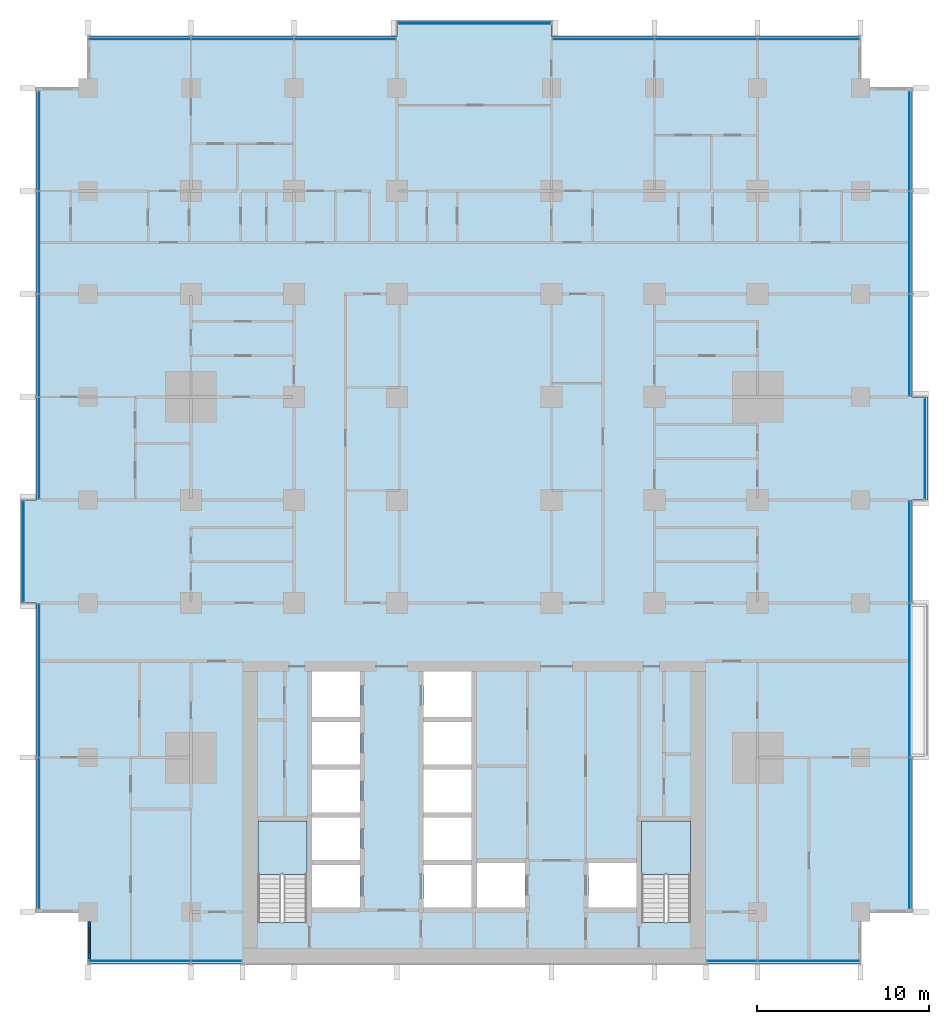
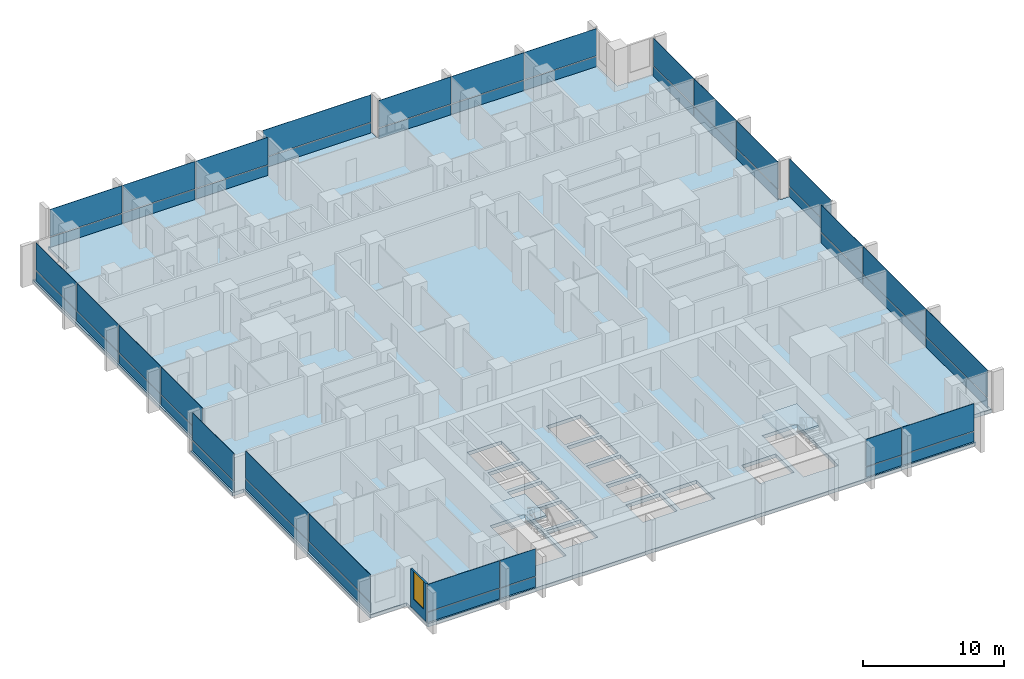
# One storey, part 6 of 18: 50 plates, 3 slabs, 1 wall, 1 window, 1 opening, 13 elements without a shape of their own.
"""IFC4 building model written with IfcOpenShell, lengths in metres."""

from ifc_helpers import new_model, si_unit, direction, frame, frame_2d, origin, origin_2d, place, context, subcontext, project, spatial, polyline, rectangle, outline, extrude, material, layer, layer_set, type_object, element, fill, aggregate, save


model = new_model("IFC4")

# Units and contexts
model_context = context("Model", 3, precision=1e-05, world=origin(), true_north=direction((0.0, 1.0)))
body_context = subcontext(model_context, "Body", "Model", "MODEL_VIEW")
ifc_project = project(units=[si_unit("LENGTHUNIT", "METRE"), si_unit("AREAUNIT", "SQUARE_METRE"), si_unit("VOLUMEUNIT", "CUBIC_METRE"), si_unit("PLANEANGLEUNIT", "RADIAN"), si_unit("MASSUNIT", "GRAM", prefix="KILO")], contexts=[model_context])

# Site, building, storey
site_placement = place(None, origin())
site = spatial("IfcSite", under=ifc_project, at=site_placement, CompositionType="ELEMENT")
building_placement = place(site_placement, origin())
building = spatial("IfcBuilding", under=site, at=building_placement, Name="Finial Court Residences", CompositionType="ELEMENT")
storey_placement = place(building_placement, frame((0.0, 0.0, 50.5)))
storey = spatial("IfcBuildingStorey", under=building, at=storey_placement, Name="L11", CompositionType="ELEMENT", Elevation=50.5)

# Curtain wall, plates
ifc_material_1 = material(Name="Bronze anodised aluminium", Category="aluminium")
curtain_wall_type = type_object("IfcCurtainWallType", Name="Unitised curtain wall, lower and middle zones", PredefinedType="NOTDEFINED", material=ifc_material_1)
curtain_wall_1_placement = place(storey_placement, origin())
curtain_wall_1 = element("IfcCurtainWall", 1, at=curtain_wall_1_placement, inside=storey, type_object=curtain_wall_type, Name="E-L11-CW-N1", PredefinedType="NOTDEFINED")
ifc_layer_1 = layer(ifc_material_1, 0.0400390625)
ifc_layer_set_1 = layer_set([ifc_layer_1], Name="CW1 spandrel panel 40")
plate_type_1 = type_object("IfcPlateType", Name="CW1 spandrel panel 40", PredefinedType="CURTAIN_PANEL", material=ifc_layer_set_1)
plate_1_placement = place(storey_placement, frame((-19.48388671875, 28.35009765625, 0.0), z_axis=(0.0, 0.0, 1.0), x_axis=(1.0, 0.0, 0.0)))
plate_1 = element("IfcPlate", 2, at=plate_1_placement, type_object=plate_type_1, Name="CW1 spandrel 1.1", PredefinedType="CURTAIN_PANEL", context=body_context, shape_type="SweptSolid", body=[
    extrude(rectangle(XDim=5.902587890625, YDim=0.0400390625, at=origin_2d()), origin(), (0.0, 0.0, 1.0), 0.867431640625),
])
plate_2_placement = place(storey_placement, frame((-13.5, 28.35009765625, 0.0), z_axis=(0.0, 0.0, 1.0), x_axis=(1.0, 0.0, 0.0)))
plate_2 = element("IfcPlate", 3, at=plate_2_placement, type_object=plate_type_1, Name="CW1 spandrel 2.1", PredefinedType="CURTAIN_PANEL", context=body_context, shape_type="SweptSolid", body=[
    extrude(rectangle(XDim=5.93505859375, YDim=0.0400390625, at=origin_2d()), origin(), (0.0, 0.0, 1.0), 0.867431640625),
])
plate_3_placement = place(storey_placement, frame((-7.51611328125, 28.35009765625, 0.0), z_axis=(0.0, 0.0, 1.0), x_axis=(1.0, 0.0, 0.0)))
plate_3 = element("IfcPlate", 4, at=plate_3_placement, type_object=plate_type_1, Name="CW1 spandrel 3.1", PredefinedType="CURTAIN_PANEL", context=body_context, shape_type="SweptSolid", body=[
    extrude(rectangle(XDim=5.902587890625, YDim=0.0400390625, at=origin_2d()), origin(), (0.0, 0.0, 1.0), 0.867431640625),
])

# Curtain wall, plate
curtain_wall_2_placement = place(storey_placement, origin())
curtain_wall_2 = element("IfcCurtainWall", 5, at=curtain_wall_2_placement, inside=storey, type_object=curtain_wall_type, Name="E-L11-CW-N2", PredefinedType="NOTDEFINED")
plate_4_placement = place(storey_placement, frame((0.0, 29.25, 0.0), z_axis=(0.0, 0.0, 1.0), x_axis=(1.0, 0.0, 0.0)))
plate_4 = element("IfcPlate", 6, at=plate_4_placement, type_object=plate_type_1, Name="CW1 spandrel 1.1", PredefinedType="CURTAIN_PANEL", context=body_context, shape_type="SweptSolid", body=[
    extrude(rectangle(XDim=8.8701171875, YDim=0.0400390625, at=origin_2d()), origin(), (0.0, 0.0, 1.0), 0.867431640625),
])

# Curtain wall, plates
curtain_wall_3_placement = place(storey_placement, origin())
curtain_wall_3 = element("IfcCurtainWall", 7, at=curtain_wall_3_placement, inside=storey, type_object=curtain_wall_type, Name="E-L11-CW-N3", PredefinedType="NOTDEFINED")
plate_5_placement = place(storey_placement, frame((7.51611328125, 28.35009765625, 0.0), z_axis=(0.0, 0.0, 1.0), x_axis=(1.0, 0.0, 0.0)))
plate_5 = element("IfcPlate", 8, at=plate_5_placement, type_object=plate_type_1, Name="CW1 spandrel 1.1", PredefinedType="CURTAIN_PANEL", context=body_context, shape_type="SweptSolid", body=[
    extrude(rectangle(XDim=5.902587890625, YDim=0.0400390625, at=origin_2d()), origin(), (0.0, 0.0, 1.0), 0.867431640625),
])
plate_6_placement = place(storey_placement, frame((13.5, 28.35009765625, 0.0), z_axis=(0.0, 0.0, 1.0), x_axis=(1.0, 0.0, 0.0)))
plate_6 = element("IfcPlate", 9, at=plate_6_placement, type_object=plate_type_1, Name="CW1 spandrel 2.1", PredefinedType="CURTAIN_PANEL", context=body_context, shape_type="SweptSolid", body=[
    extrude(rectangle(XDim=5.93505859375, YDim=0.0400390625, at=origin_2d()), origin(), (0.0, 0.0, 1.0), 0.867431640625),
])
plate_7_placement = place(storey_placement, frame((19.48388671875, 28.35009765625, 0.0), z_axis=(0.0, 0.0, 1.0), x_axis=(1.0, 0.0, 0.0)))
plate_7 = element("IfcPlate", 10, at=plate_7_placement, type_object=plate_type_1, Name="CW1 spandrel 3.1", PredefinedType="CURTAIN_PANEL", context=body_context, shape_type="SweptSolid", body=[
    extrude(rectangle(XDim=5.902587890625, YDim=0.0400390625, at=origin_2d()), origin(), (0.0, 0.0, 1.0), 0.867431640625),
])

curtain_wall_4_placement = place(storey_placement, origin())
curtain_wall_4 = element("IfcCurtainWall", 11, at=curtain_wall_4_placement, inside=storey, type_object=curtain_wall_type, Name="E-L11-CW-E4", PredefinedType="NOTDEFINED")
plate_8_placement = place(storey_placement, frame((25.35009765625, -17.90869140625, 0.0), z_axis=(0.0, 0.0, 1.0), x_axis=(0.0, 1.0, 0.0)))
plate_8 = element("IfcPlate", 12, at=plate_8_placement, type_object=plate_type_1, Name="CW1 spandrel 1.1", PredefinedType="CURTAIN_PANEL", context=body_context, shape_type="SweptSolid", body=[
    extrude(rectangle(XDim=8.75244140625, YDim=0.0400390625, at=origin_2d()), origin(), (0.0, 0.0, 1.0), 0.867431640625),
])
plate_9_placement = place(storey_placement, frame((25.35009765625, -9.0, 0.0), z_axis=(0.0, 0.0, 1.0), x_axis=(0.0, 1.0, 0.0)))
plate_9 = element("IfcPlate", 13, at=plate_9_placement, type_object=plate_type_1, Name="CW1 spandrel 2.1", PredefinedType="CURTAIN_PANEL", context=body_context, shape_type="SweptSolid", body=[
    extrude(rectangle(XDim=8.93505859375, YDim=0.0400390625, at=origin_2d()), origin(), (0.0, 0.0, 1.0), 0.867431640625),
])
plate_10_placement = place(storey_placement, frame((25.35009765625, -1.516357421875, 0.0), z_axis=(0.0, 0.0, 1.0), x_axis=(0.0, 1.0, 0.0)))
plate_10 = element("IfcPlate", 14, at=plate_10_placement, type_object=plate_type_1, Name="CW1 spandrel 3.1", PredefinedType="CURTAIN_PANEL", context=body_context, shape_type="SweptSolid", body=[
    extrude(rectangle(XDim=5.902587890625, YDim=0.0400390625, at=origin_2d()), origin(), (0.0, 0.0, 1.0), 0.867431640625),
])

# Curtain wall, plate
curtain_wall_5_placement = place(storey_placement, origin())
curtain_wall_5 = element("IfcCurtainWall", 15, at=curtain_wall_5_placement, inside=storey, type_object=curtain_wall_type, Name="E-L11-CW-E5", PredefinedType="NOTDEFINED")
plate_11_placement = place(storey_placement, frame((26.25, 4.5, 0.0), z_axis=(0.0, 0.0, 1.0), x_axis=(0.0, 1.0, 0.0)))
plate_11 = element("IfcPlate", 16, at=plate_11_placement, type_object=plate_type_1, Name="CW1 spandrel 1.1", PredefinedType="CURTAIN_PANEL", context=body_context, shape_type="SweptSolid", body=[
    extrude(rectangle(XDim=5.8701171875, YDim=0.0400390625, at=origin_2d()), origin(), (0.0, 0.0, 1.0), 0.867431640625),
])

# Curtain wall, plates
curtain_wall_6_placement = place(storey_placement, origin())
curtain_wall_6 = element("IfcCurtainWall", 17, at=curtain_wall_6_placement, inside=storey, type_object=curtain_wall_type, Name="E-L11-CW-E6", PredefinedType="NOTDEFINED")
plate_12_placement = place(storey_placement, frame((25.35009765625, 10.51611328125, 0.0), z_axis=(0.0, 0.0, 1.0), x_axis=(0.0, 1.0, 0.0)))
plate_12 = element("IfcPlate", 18, at=plate_12_placement, type_object=plate_type_1, Name="CW1 spandrel 1.1", PredefinedType="CURTAIN_PANEL", context=body_context, shape_type="SweptSolid", body=[
    extrude(rectangle(XDim=5.902587890625, YDim=0.0400390625, at=origin_2d()), origin(), (0.0, 0.0, 1.0), 0.867431640625),
])
plate_13_placement = place(storey_placement, frame((25.35009765625, 16.5, 0.0), z_axis=(0.0, 0.0, 1.0), x_axis=(0.0, 1.0, 0.0)))
plate_13 = element("IfcPlate", 19, at=plate_13_placement, type_object=plate_type_1, Name="CW1 spandrel 2.1", PredefinedType="CURTAIN_PANEL", context=body_context, shape_type="SweptSolid", body=[
    extrude(rectangle(XDim=5.93505859375, YDim=0.0400390625, at=origin_2d()), origin(), (0.0, 0.0, 1.0), 0.867431640625),
])
plate_14_placement = place(storey_placement, frame((25.35009765625, 22.40869140625, 0.0), z_axis=(0.0, 0.0, 1.0), x_axis=(0.0, 1.0, 0.0)))
plate_14 = element("IfcPlate", 20, at=plate_14_placement, type_object=plate_type_1, Name="CW1 spandrel 3.1", PredefinedType="CURTAIN_PANEL", context=body_context, shape_type="SweptSolid", body=[
    extrude(rectangle(XDim=5.75244140625, YDim=0.0400390625, at=origin_2d()), origin(), (0.0, 0.0, 1.0), 0.867431640625),
])

curtain_wall_7_placement = place(storey_placement, origin())
curtain_wall_7 = element("IfcCurtainWall", 21, at=curtain_wall_7_placement, inside=storey, type_object=curtain_wall_type, Name="E-L11-CW-S7", PredefinedType="NOTDEFINED")
plate_15_placement = place(storey_placement, frame((-19.48388671875, -25.35009765625, 0.0), z_axis=(0.0, 0.0, 1.0), x_axis=(1.0, 0.0, 0.0)))
plate_15 = element("IfcPlate", 22, at=plate_15_placement, type_object=plate_type_1, Name="CW1 spandrel 1.1", PredefinedType="CURTAIN_PANEL", context=body_context, shape_type="SweptSolid", body=[
    extrude(rectangle(XDim=5.902587890625, YDim=0.0400390625, at=origin_2d()), origin(), (0.0, 0.0, 1.0), 0.867431640625),
])
plate_16_placement = place(storey_placement, frame((-15.016357421875, -25.35009765625, 0.0), z_axis=(0.0, 0.0, 1.0), x_axis=(1.0, 0.0, 0.0)))
plate_16 = element("IfcPlate", 23, at=plate_16_placement, type_object=plate_type_1, Name="CW1 spandrel 2.1", PredefinedType="CURTAIN_PANEL", context=body_context, shape_type="SweptSolid", body=[
    extrude(rectangle(XDim=2.902587890625, YDim=0.0400390625, at=origin_2d()), origin(), (0.0, 0.0, 1.0), 0.867431640625),
])

curtain_wall_8_placement = place(storey_placement, origin())
curtain_wall_8 = element("IfcCurtainWall", 24, at=curtain_wall_8_placement, inside=storey, type_object=curtain_wall_type, Name="E-L11-CW-S8", PredefinedType="NOTDEFINED")
plate_17_placement = place(storey_placement, frame((15.016357421875, -25.35009765625, 0.0), z_axis=(0.0, 0.0, 1.0), x_axis=(1.0, 0.0, 0.0)))
plate_17 = element("IfcPlate", 25, at=plate_17_placement, type_object=plate_type_1, Name="CW1 spandrel 1.1", PredefinedType="CURTAIN_PANEL", context=body_context, shape_type="SweptSolid", body=[
    extrude(rectangle(XDim=2.902587890625, YDim=0.0400390625, at=origin_2d()), origin(), (0.0, 0.0, 1.0), 0.867431640625),
])
plate_18_placement = place(storey_placement, frame((19.48388671875, -25.35009765625, 0.0), z_axis=(0.0, 0.0, 1.0), x_axis=(1.0, 0.0, 0.0)))
plate_18 = element("IfcPlate", 26, at=plate_18_placement, type_object=plate_type_1, Name="CW1 spandrel 2.1", PredefinedType="CURTAIN_PANEL", context=body_context, shape_type="SweptSolid", body=[
    extrude(rectangle(XDim=5.902587890625, YDim=0.0400390625, at=origin_2d()), origin(), (0.0, 0.0, 1.0), 0.867431640625),
])

curtain_wall_9_placement = place(storey_placement, origin())
curtain_wall_9 = element("IfcCurtainWall", 27, at=curtain_wall_9_placement, inside=storey, type_object=curtain_wall_type, Name="E-L11-CW-W9", PredefinedType="NOTDEFINED")
plate_19_placement = place(storey_placement, frame((-25.35009765625, -17.90869140625, 0.0), z_axis=(0.0, 0.0, 1.0), x_axis=(0.0, 1.0, 0.0)))
plate_19 = element("IfcPlate", 28, at=plate_19_placement, type_object=plate_type_1, Name="CW1 spandrel 1.1", PredefinedType="CURTAIN_PANEL", context=body_context, shape_type="SweptSolid", body=[
    extrude(rectangle(XDim=8.75244140625, YDim=0.0400390625, at=origin_2d()), origin(), (0.0, 0.0, 1.0), 0.867431640625),
])
plate_20_placement = place(storey_placement, frame((-25.35009765625, -9.01611328125, 0.0), z_axis=(0.0, 0.0, 1.0), x_axis=(0.0, 1.0, 0.0)))
plate_20 = element("IfcPlate", 29, at=plate_20_placement, type_object=plate_type_1, Name="CW1 spandrel 2.1", PredefinedType="CURTAIN_PANEL", context=body_context, shape_type="SweptSolid", body=[
    extrude(rectangle(XDim=8.902587890625, YDim=0.0400390625, at=origin_2d()), origin(), (0.0, 0.0, 1.0), 0.867431640625),
])

# Curtain wall, plate
curtain_wall_10_placement = place(storey_placement, origin())
curtain_wall_10 = element("IfcCurtainWall", 30, at=curtain_wall_10_placement, inside=storey, type_object=curtain_wall_type, Name="E-L11-CW-W10", PredefinedType="NOTDEFINED")
plate_21_placement = place(storey_placement, frame((-26.25, -1.5, 0.0), z_axis=(0.0, 0.0, 1.0), x_axis=(0.0, 1.0, 0.0)))
plate_21 = element("IfcPlate", 31, at=plate_21_placement, type_object=plate_type_1, Name="CW1 spandrel 1.1", PredefinedType="CURTAIN_PANEL", context=body_context, shape_type="SweptSolid", body=[
    extrude(rectangle(XDim=5.8701171875, YDim=0.0400390625, at=origin_2d()), origin(), (0.0, 0.0, 1.0), 0.867431640625),
])

# Curtain wall, plates
curtain_wall_11_placement = place(storey_placement, origin())
curtain_wall_11 = element("IfcCurtainWall", 32, at=curtain_wall_11_placement, inside=storey, type_object=curtain_wall_type, Name="E-L11-CW-W11", PredefinedType="NOTDEFINED")
plate_22_placement = place(storey_placement, frame((-25.35009765625, 4.516357421875, 0.0), z_axis=(0.0, 0.0, 1.0), x_axis=(0.0, 1.0, 0.0)))
plate_22 = element("IfcPlate", 33, at=plate_22_placement, type_object=plate_type_1, Name="CW1 spandrel 1.1", PredefinedType="CURTAIN_PANEL", context=body_context, shape_type="SweptSolid", body=[
    extrude(rectangle(XDim=5.902587890625, YDim=0.0400390625, at=origin_2d()), origin(), (0.0, 0.0, 1.0), 0.867431640625),
])
plate_23_placement = place(storey_placement, frame((-25.35009765625, 10.5, 0.0), z_axis=(0.0, 0.0, 1.0), x_axis=(0.0, 1.0, 0.0)))
plate_23 = element("IfcPlate", 34, at=plate_23_placement, type_object=plate_type_1, Name="CW1 spandrel 2.1", PredefinedType="CURTAIN_PANEL", context=body_context, shape_type="SweptSolid", body=[
    extrude(rectangle(XDim=5.93505859375, YDim=0.0400390625, at=origin_2d()), origin(), (0.0, 0.0, 1.0), 0.867431640625),
])
plate_24_placement = place(storey_placement, frame((-25.35009765625, 16.5, 0.0), z_axis=(0.0, 0.0, 1.0), x_axis=(0.0, 1.0, 0.0)))
plate_24 = element("IfcPlate", 35, at=plate_24_placement, type_object=plate_type_1, Name="CW1 spandrel 3.1", PredefinedType="CURTAIN_PANEL", context=body_context, shape_type="SweptSolid", body=[
    extrude(rectangle(XDim=5.93505859375, YDim=0.0400390625, at=origin_2d()), origin(), (0.0, 0.0, 1.0), 0.867431640625),
])
plate_25_placement = place(storey_placement, frame((-25.35009765625, 22.40869140625, 0.0), z_axis=(0.0, 0.0, 1.0), x_axis=(0.0, 1.0, 0.0)))
plate_25 = element("IfcPlate", 36, at=plate_25_placement, type_object=plate_type_1, Name="CW1 spandrel 4.1", PredefinedType="CURTAIN_PANEL", context=body_context, shape_type="SweptSolid", body=[
    extrude(rectangle(XDim=5.75244140625, YDim=0.0400390625, at=origin_2d()), origin(), (0.0, 0.0, 1.0), 0.867431640625),
])

# Plate
ifc_material_2 = material(Name="Clear low-e glass", Category="glass")
ifc_layer_2 = layer(ifc_material_2, 0.031982421875)
ifc_layer_set_2 = layer_set([ifc_layer_2], Name="CW1 vision glass 32")
plate_type_2 = type_object("IfcPlateType", Name="CW1 vision glass 32", PredefinedType="CURTAIN_PANEL", material=ifc_layer_set_2)
plate_26_placement = place(storey_placement, frame((-19.48388671875, 28.35009765625, 0.9326171875), z_axis=(0.0, 0.0, 1.0), x_axis=(1.0, 0.0, 0.0)))
plate_26 = element("IfcPlate", 37, at=plate_26_placement, type_object=plate_type_2, Name="CW1 glass 1.2", PredefinedType="CURTAIN_PANEL", context=body_context, shape_type="SweptSolid", body=[
    extrude(rectangle(XDim=5.902587890625, YDim=0.031982421875, at=origin_2d()), origin(), (0.0, 0.0, 1.0), 2.367431640625),
])

plate_27_placement = place(storey_placement, frame((-13.5, 28.35009765625, 0.9326171875), z_axis=(0.0, 0.0, 1.0), x_axis=(1.0, 0.0, 0.0)))
plate_27 = element("IfcPlate", 38, at=plate_27_placement, type_object=plate_type_2, Name="CW1 glass 2.2", PredefinedType="CURTAIN_PANEL", context=body_context, shape_type="SweptSolid", body=[
    extrude(rectangle(XDim=5.93505859375, YDim=0.031982421875, at=origin_2d()), origin(), (0.0, 0.0, 1.0), 2.367431640625),
])

plate_28_placement = place(storey_placement, frame((-7.51611328125, 28.35009765625, 0.9326171875), z_axis=(0.0, 0.0, 1.0), x_axis=(1.0, 0.0, 0.0)))
plate_28 = element("IfcPlate", 39, at=plate_28_placement, type_object=plate_type_2, Name="CW1 glass 3.2", PredefinedType="CURTAIN_PANEL", context=body_context, shape_type="SweptSolid", body=[
    extrude(rectangle(XDim=5.902587890625, YDim=0.031982421875, at=origin_2d()), origin(), (0.0, 0.0, 1.0), 2.367431640625),
])

aggregate(curtain_wall_1, [plate_1, plate_26, plate_2, plate_27, plate_3, plate_28])

plate_29_placement = place(storey_placement, frame((0.0, 29.25, 0.9326171875), z_axis=(0.0, 0.0, 1.0), x_axis=(1.0, 0.0, 0.0)))
plate_29 = element("IfcPlate", 40, at=plate_29_placement, type_object=plate_type_2, Name="CW1 glass 1.2", PredefinedType="CURTAIN_PANEL", context=body_context, shape_type="SweptSolid", body=[
    extrude(rectangle(XDim=8.8701171875, YDim=0.031982421875, at=origin_2d()), origin(), (0.0, 0.0, 1.0), 2.367431640625),
])

aggregate(curtain_wall_2, [plate_4, plate_29])

plate_30_placement = place(storey_placement, frame((7.51611328125, 28.35009765625, 0.9326171875), z_axis=(0.0, 0.0, 1.0), x_axis=(1.0, 0.0, 0.0)))
plate_30 = element("IfcPlate", 41, at=plate_30_placement, type_object=plate_type_2, Name="CW1 glass 1.2", PredefinedType="CURTAIN_PANEL", context=body_context, shape_type="SweptSolid", body=[
    extrude(rectangle(XDim=5.902587890625, YDim=0.031982421875, at=origin_2d()), origin(), (0.0, 0.0, 1.0), 2.367431640625),
])

plate_31_placement = place(storey_placement, frame((13.5, 28.35009765625, 0.9326171875), z_axis=(0.0, 0.0, 1.0), x_axis=(1.0, 0.0, 0.0)))
plate_31 = element("IfcPlate", 42, at=plate_31_placement, type_object=plate_type_2, Name="CW1 glass 2.2", PredefinedType="CURTAIN_PANEL", context=body_context, shape_type="SweptSolid", body=[
    extrude(rectangle(XDim=5.93505859375, YDim=0.031982421875, at=origin_2d()), origin(), (0.0, 0.0, 1.0), 2.367431640625),
])

plate_32_placement = place(storey_placement, frame((19.48388671875, 28.35009765625, 0.9326171875), z_axis=(0.0, 0.0, 1.0), x_axis=(1.0, 0.0, 0.0)))
plate_32 = element("IfcPlate", 43, at=plate_32_placement, type_object=plate_type_2, Name="CW1 glass 3.2", PredefinedType="CURTAIN_PANEL", context=body_context, shape_type="SweptSolid", body=[
    extrude(rectangle(XDim=5.902587890625, YDim=0.031982421875, at=origin_2d()), origin(), (0.0, 0.0, 1.0), 2.367431640625),
])

aggregate(curtain_wall_3, [plate_5, plate_30, plate_6, plate_31, plate_7, plate_32])

plate_33_placement = place(storey_placement, frame((25.35009765625, -17.90869140625, 0.9326171875), z_axis=(0.0, 0.0, 1.0), x_axis=(0.0, 1.0, 0.0)))
plate_33 = element("IfcPlate", 44, at=plate_33_placement, type_object=plate_type_2, Name="CW1 glass 1.2", PredefinedType="CURTAIN_PANEL", context=body_context, shape_type="SweptSolid", body=[
    extrude(rectangle(XDim=8.75244140625, YDim=0.031982421875, at=origin_2d()), origin(), (0.0, 0.0, 1.0), 2.367431640625),
])

plate_34_placement = place(storey_placement, frame((25.35009765625, -9.0, 0.9326171875), z_axis=(0.0, 0.0, 1.0), x_axis=(0.0, 1.0, 0.0)))
plate_34 = element("IfcPlate", 45, at=plate_34_placement, type_object=plate_type_2, Name="CW1 glass 2.2", PredefinedType="CURTAIN_PANEL", context=body_context, shape_type="SweptSolid", body=[
    extrude(rectangle(XDim=8.93505859375, YDim=0.031982421875, at=origin_2d()), origin(), (0.0, 0.0, 1.0), 2.367431640625),
])

plate_35_placement = place(storey_placement, frame((25.35009765625, -1.516357421875, 0.9326171875), z_axis=(0.0, 0.0, 1.0), x_axis=(0.0, 1.0, 0.0)))
plate_35 = element("IfcPlate", 46, at=plate_35_placement, type_object=plate_type_2, Name="CW1 glass 3.2", PredefinedType="CURTAIN_PANEL", context=body_context, shape_type="SweptSolid", body=[
    extrude(rectangle(XDim=5.902587890625, YDim=0.031982421875, at=origin_2d()), origin(), (0.0, 0.0, 1.0), 2.367431640625),
])

aggregate(curtain_wall_4, [plate_8, plate_33, plate_9, plate_34, plate_10, plate_35])

plate_36_placement = place(storey_placement, frame((26.25, 4.5, 0.9326171875), z_axis=(0.0, 0.0, 1.0), x_axis=(0.0, 1.0, 0.0)))
plate_36 = element("IfcPlate", 47, at=plate_36_placement, type_object=plate_type_2, Name="CW1 glass 1.2", PredefinedType="CURTAIN_PANEL", context=body_context, shape_type="SweptSolid", body=[
    extrude(rectangle(XDim=5.8701171875, YDim=0.031982421875, at=origin_2d()), origin(), (0.0, 0.0, 1.0), 2.367431640625),
])

aggregate(curtain_wall_5, [plate_11, plate_36])

plate_37_placement = place(storey_placement, frame((25.35009765625, 10.51611328125, 0.9326171875), z_axis=(0.0, 0.0, 1.0), x_axis=(0.0, 1.0, 0.0)))
plate_37 = element("IfcPlate", 48, at=plate_37_placement, type_object=plate_type_2, Name="CW1 glass 1.2", PredefinedType="CURTAIN_PANEL", context=body_context, shape_type="SweptSolid", body=[
    extrude(rectangle(XDim=5.902587890625, YDim=0.031982421875, at=origin_2d()), origin(), (0.0, 0.0, 1.0), 2.367431640625),
])

plate_38_placement = place(storey_placement, frame((25.35009765625, 16.5, 0.9326171875), z_axis=(0.0, 0.0, 1.0), x_axis=(0.0, 1.0, 0.0)))
plate_38 = element("IfcPlate", 49, at=plate_38_placement, type_object=plate_type_2, Name="CW1 glass 2.2", PredefinedType="CURTAIN_PANEL", context=body_context, shape_type="SweptSolid", body=[
    extrude(rectangle(XDim=5.93505859375, YDim=0.031982421875, at=origin_2d()), origin(), (0.0, 0.0, 1.0), 2.367431640625),
])

plate_39_placement = place(storey_placement, frame((25.35009765625, 22.40869140625, 0.9326171875), z_axis=(0.0, 0.0, 1.0), x_axis=(0.0, 1.0, 0.0)))
plate_39 = element("IfcPlate", 50, at=plate_39_placement, type_object=plate_type_2, Name="CW1 glass 3.2", PredefinedType="CURTAIN_PANEL", context=body_context, shape_type="SweptSolid", body=[
    extrude(rectangle(XDim=5.75244140625, YDim=0.031982421875, at=origin_2d()), origin(), (0.0, 0.0, 1.0), 2.367431640625),
])

aggregate(curtain_wall_6, [plate_12, plate_37, plate_13, plate_38, plate_14, plate_39])

plate_40_placement = place(storey_placement, frame((-19.48388671875, -25.35009765625, 0.9326171875), z_axis=(0.0, 0.0, 1.0), x_axis=(1.0, 0.0, 0.0)))
plate_40 = element("IfcPlate", 51, at=plate_40_placement, type_object=plate_type_2, Name="CW1 glass 1.2", PredefinedType="CURTAIN_PANEL", context=body_context, shape_type="SweptSolid", body=[
    extrude(rectangle(XDim=5.902587890625, YDim=0.031982421875, at=origin_2d()), origin(), (0.0, 0.0, 1.0), 2.367431640625),
])

plate_41_placement = place(storey_placement, frame((-15.016357421875, -25.35009765625, 0.9326171875), z_axis=(0.0, 0.0, 1.0), x_axis=(1.0, 0.0, 0.0)))
plate_41 = element("IfcPlate", 52, at=plate_41_placement, type_object=plate_type_2, Name="CW1 glass 2.2", PredefinedType="CURTAIN_PANEL", context=body_context, shape_type="SweptSolid", body=[
    extrude(rectangle(XDim=2.902587890625, YDim=0.031982421875, at=origin_2d()), origin(), (0.0, 0.0, 1.0), 2.367431640625),
])

aggregate(curtain_wall_7, [plate_15, plate_40, plate_16, plate_41])

plate_42_placement = place(storey_placement, frame((15.016357421875, -25.35009765625, 0.9326171875), z_axis=(0.0, 0.0, 1.0), x_axis=(1.0, 0.0, 0.0)))
plate_42 = element("IfcPlate", 53, at=plate_42_placement, type_object=plate_type_2, Name="CW1 glass 1.2", PredefinedType="CURTAIN_PANEL", context=body_context, shape_type="SweptSolid", body=[
    extrude(rectangle(XDim=2.902587890625, YDim=0.031982421875, at=origin_2d()), origin(), (0.0, 0.0, 1.0), 2.367431640625),
])

plate_43_placement = place(storey_placement, frame((19.48388671875, -25.35009765625, 0.9326171875), z_axis=(0.0, 0.0, 1.0), x_axis=(1.0, 0.0, 0.0)))
plate_43 = element("IfcPlate", 54, at=plate_43_placement, type_object=plate_type_2, Name="CW1 glass 2.2", PredefinedType="CURTAIN_PANEL", context=body_context, shape_type="SweptSolid", body=[
    extrude(rectangle(XDim=5.902587890625, YDim=0.031982421875, at=origin_2d()), origin(), (0.0, 0.0, 1.0), 2.367431640625),
])

aggregate(curtain_wall_8, [plate_17, plate_42, plate_18, plate_43])

plate_44_placement = place(storey_placement, frame((-25.35009765625, -17.90869140625, 0.9326171875), z_axis=(0.0, 0.0, 1.0), x_axis=(0.0, 1.0, 0.0)))
plate_44 = element("IfcPlate", 55, at=plate_44_placement, type_object=plate_type_2, Name="CW1 glass 1.2", PredefinedType="CURTAIN_PANEL", context=body_context, shape_type="SweptSolid", body=[
    extrude(rectangle(XDim=8.75244140625, YDim=0.031982421875, at=origin_2d()), origin(), (0.0, 0.0, 1.0), 2.367431640625),
])

plate_45_placement = place(storey_placement, frame((-25.35009765625, -9.01611328125, 0.9326171875), z_axis=(0.0, 0.0, 1.0), x_axis=(0.0, 1.0, 0.0)))
plate_45 = element("IfcPlate", 56, at=plate_45_placement, type_object=plate_type_2, Name="CW1 glass 2.2", PredefinedType="CURTAIN_PANEL", context=body_context, shape_type="SweptSolid", body=[
    extrude(rectangle(XDim=8.902587890625, YDim=0.031982421875, at=origin_2d()), origin(), (0.0, 0.0, 1.0), 2.367431640625),
])

aggregate(curtain_wall_9, [plate_19, plate_44, plate_20, plate_45])

plate_46_placement = place(storey_placement, frame((-26.25, -1.5, 0.9326171875), z_axis=(0.0, 0.0, 1.0), x_axis=(0.0, 1.0, 0.0)))
plate_46 = element("IfcPlate", 57, at=plate_46_placement, type_object=plate_type_2, Name="CW1 glass 1.2", PredefinedType="CURTAIN_PANEL", context=body_context, shape_type="SweptSolid", body=[
    extrude(rectangle(XDim=5.8701171875, YDim=0.031982421875, at=origin_2d()), origin(), (0.0, 0.0, 1.0), 2.367431640625),
])

aggregate(curtain_wall_10, [plate_21, plate_46])

plate_47_placement = place(storey_placement, frame((-25.35009765625, 4.516357421875, 0.9326171875), z_axis=(0.0, 0.0, 1.0), x_axis=(0.0, 1.0, 0.0)))
plate_47 = element("IfcPlate", 58, at=plate_47_placement, type_object=plate_type_2, Name="CW1 glass 1.2", PredefinedType="CURTAIN_PANEL", context=body_context, shape_type="SweptSolid", body=[
    extrude(rectangle(XDim=5.902587890625, YDim=0.031982421875, at=origin_2d()), origin(), (0.0, 0.0, 1.0), 2.367431640625),
])

plate_48_placement = place(storey_placement, frame((-25.35009765625, 10.5, 0.9326171875), z_axis=(0.0, 0.0, 1.0), x_axis=(0.0, 1.0, 0.0)))
plate_48 = element("IfcPlate", 59, at=plate_48_placement, type_object=plate_type_2, Name="CW1 glass 2.2", PredefinedType="CURTAIN_PANEL", context=body_context, shape_type="SweptSolid", body=[
    extrude(rectangle(XDim=5.93505859375, YDim=0.031982421875, at=origin_2d()), origin(), (0.0, 0.0, 1.0), 2.367431640625),
])

plate_49_placement = place(storey_placement, frame((-25.35009765625, 16.5, 0.9326171875), z_axis=(0.0, 0.0, 1.0), x_axis=(0.0, 1.0, 0.0)))
plate_49 = element("IfcPlate", 60, at=plate_49_placement, type_object=plate_type_2, Name="CW1 glass 3.2", PredefinedType="CURTAIN_PANEL", context=body_context, shape_type="SweptSolid", body=[
    extrude(rectangle(XDim=5.93505859375, YDim=0.031982421875, at=origin_2d()), origin(), (0.0, 0.0, 1.0), 2.367431640625),
])

plate_50_placement = place(storey_placement, frame((-25.35009765625, 22.40869140625, 0.9326171875), z_axis=(0.0, 0.0, 1.0), x_axis=(0.0, 1.0, 0.0)))
plate_50 = element("IfcPlate", 61, at=plate_50_placement, type_object=plate_type_2, Name="CW1 glass 4.2", PredefinedType="CURTAIN_PANEL", context=body_context, shape_type="SweptSolid", body=[
    extrude(rectangle(XDim=5.75244140625, YDim=0.031982421875, at=origin_2d()), origin(), (0.0, 0.0, 1.0), 2.367431640625),
])

aggregate(curtain_wall_11, [plate_22, plate_47, plate_23, plate_48, plate_24, plate_49, plate_25, plate_50])

# Stair, slab
ifc_material_3 = material(Name="Concrete C50/60", Category="concrete")
stair_type = type_object("IfcStairType", Name="Exit stair 22 risers of 163.6 mm", PredefinedType="HALF_TURN_STAIR", material=ifc_material_3)
stair_1_placement = place(storey_placement, origin())
stair_1 = element("IfcStair", 62, at=stair_1_placement, inside=storey, type_object=stair_type, Name="L11 Exit stair ST-1", PredefinedType="HALF_TURN_STAIR")
ifc_layer_3 = layer(ifc_material_3, 0.199951171875)
ifc_layer_set_3 = layer_set([ifc_layer_3], Name="Exit stair landing")
slab_type_1 = type_object("IfcSlabType", Name="Exit stair landing", PredefinedType="LANDING", material=ifc_layer_set_3)
slab_1_placement = place(storey_placement, frame((0.0, 0.0, 1.60009765625)))
slab_1 = element("IfcSlab", 63, at=slab_1_placement, type_object=slab_type_1, Name="ST-1 landing 1", PredefinedType="LANDING", context=body_context, shape_type="SweptSolid", body=[
    extrude(outline(polyline([(-9.75, -20.300048828125), (-9.75, -17.199951171875), (-12.60009765625, -17.199951171875), (-12.60009765625, -20.300048828125), (-9.75, -20.300048828125)])), origin(), (0.0, 0.0, 1.0), 0.199951171875),
])
aggregate(stair_1, [slab_1])

stair_2_placement = place(storey_placement, origin())
stair_2 = element("IfcStair", 64, at=stair_2_placement, inside=storey, type_object=stair_type, Name="L11 Exit stair ST-2", PredefinedType="HALF_TURN_STAIR")
slab_2_placement = place(storey_placement, frame((0.0, 0.0, 1.60009765625)))
slab_2 = element("IfcSlab", 65, at=slab_2_placement, type_object=slab_type_1, Name="ST-2 landing 1", PredefinedType="LANDING", context=body_context, shape_type="SweptSolid", body=[
    extrude(outline(polyline([(12.60009765625, -20.300048828125), (12.60009765625, -17.199951171875), (9.75, -17.199951171875), (9.75, -20.300048828125), (12.60009765625, -20.300048828125)])), origin(), (0.0, 0.0, 1.0), 0.199951171875),
])
aggregate(stair_2, [slab_2])

# Slab
ifc_material_4 = material(Name="Concrete C40/50", Category="concrete")
ifc_layer_4 = layer(ifc_material_4, 0.300048828125)
ifc_layer_set_4 = layer_set([ifc_layer_4], Name="Flat plate slab 300 Concrete C40/50")
slab_type_2 = type_object("IfcSlabType", Name="Flat plate slab 300 Concrete C40/50", PredefinedType="FLOOR", material=ifc_layer_set_4)
slab_3_placement = place(storey_placement, frame((0.0, 0.0, -0.300048828125)))
element("IfcSlab", 66, at=slab_3_placement, inside=storey, type_object=slab_type_2, Name="S:SLAB:L11", PredefinedType="FLOOR", context=body_context, shape_type="SweptSolid", body=[
    extrude(outline(polyline([(26.39990234375, -13.5), (25.5, -13.5), (25.5, -22.5), (22.5, -22.5), (22.5, -25.5), (-22.5, -25.5), (-22.5, -22.5), (-25.5, -22.5), (-25.5, -4.5), (-26.39990234375, -4.5), (-26.39990234375, 1.5), (-25.5, 1.5), (-25.5, 25.5), (-22.5, 25.5), (-22.5, 28.5), (-4.5, 28.5), (-4.5, 29.39990234375), (4.5, 29.39990234375), (4.5, 28.5), (22.5, 28.5), (22.5, 25.5), (25.5, 25.5), (25.5, 7.5), (26.39990234375, 7.5), (26.39990234375, 1.5), (25.5, 1.5), (25.5, -4.5), (26.39990234375, -4.5), (26.39990234375, -13.5)]), holes=[polyline([(-6.64990234375, -19.77001953125), (-9.449951171875, -19.77001953125), (-9.449951171875, -22.25), (-6.64990234375, -22.25), (-6.64990234375, -19.77001953125)]), polyline([(-9.75, -17.199951171875), (-12.60009765625, -17.199951171875), (-12.60009765625, -23.09912109375), (-9.75, -23.09912109375), (-9.75, -17.199951171875)]), polyline([(-6.64990234375, -19.469970703125), (-6.64990234375, -16.989990234375), (-9.449951171875, -16.989990234375), (-9.449951171875, -19.469970703125), (-6.64990234375, -19.469970703125)]), polyline([(-6.64990234375, -16.68994140625), (-6.64990234375, -14.2099609375), (-9.449951171875, -14.2099609375), (-9.449951171875, -16.68994140625), (-6.64990234375, -16.68994140625)]), polyline([(-6.64990234375, -13.909912109375), (-6.64990234375, -11.429931640625), (-9.449951171875, -11.429931640625), (-9.449951171875, -13.909912109375), (-6.64990234375, -13.909912109375)]), polyline([(-6.64990234375, -11.1298828125), (-6.64990234375, -8.5), (-9.449951171875, -8.5), (-9.449951171875, -11.1298828125), (-6.64990234375, -11.1298828125)]), polyline([(-0.14990234375, -11.1298828125), (-0.14990234375, -8.5), (-2.949951171875, -8.5), (-2.949951171875, -11.1298828125), (-0.14990234375, -11.1298828125)]), polyline([(-0.14990234375, -19.77001953125), (-2.949951171875, -19.77001953125), (-2.949951171875, -22.25), (-0.14990234375, -22.25), (-0.14990234375, -19.77001953125)]), polyline([(2.949951171875, -22.25), (2.949951171875, -19.64990234375), (0.14990234375, -19.64990234375), (0.14990234375, -22.25), (2.949951171875, -22.25)]), polyline([(9.449951171875, -22.25), (9.449951171875, -19.64990234375), (6.64990234375, -19.64990234375), (6.64990234375, -22.25), (9.449951171875, -22.25)]), polyline([(12.60009765625, -17.199951171875), (9.75, -17.199951171875), (9.75, -23.09912109375), (12.60009765625, -23.09912109375), (12.60009765625, -17.199951171875)]), polyline([(-0.14990234375, -19.469970703125), (-0.14990234375, -16.989990234375), (-2.949951171875, -16.989990234375), (-2.949951171875, -19.469970703125), (-0.14990234375, -19.469970703125)]), polyline([(-0.14990234375, -16.68994140625), (-0.14990234375, -14.2099609375), (-2.949951171875, -14.2099609375), (-2.949951171875, -16.68994140625), (-0.14990234375, -16.68994140625)]), polyline([(-0.14990234375, -13.909912109375), (-0.14990234375, -11.429931640625), (-2.949951171875, -11.429931640625), (-2.949951171875, -13.909912109375), (-0.14990234375, -13.909912109375)])]), origin(), (0.0, 0.0, 1.0), 0.300048828125),
])

# Wall, opening, window
ifc_material_5 = material(Name="Natural limestone", Category="masonry")
ifc_layer_5 = layer(ifc_material_5, 0.14990234375)
ifc_layer_set_5 = layer_set([ifc_layer_5], Name="Limestone clad wall 150")
wall_type = type_object("IfcWallType", Name="Limestone clad wall 150", PredefinedType="SOLIDWALL", material=ifc_layer_set_5)
wall_placement = place(storey_placement, frame((-22.425048828125, -25.25, 0.0), z_axis=(0.0, 0.0, 1.0), x_axis=(0.0, 1.0, 0.0)))
wall = element("IfcWall", 67, at=wall_placement, inside=storey, type_object=wall_type, Name="E-L11-NWW12", PredefinedType="SOLIDWALL", context=body_context, shape_type="SweptSolid", body=[
    extrude(rectangle(XDim=2.199951171875, YDim=0.14990234375, at=frame_2d((1.10009765625, 0.0))), origin(), (0.0, 0.0, 1.0), 3.300048828125),
])
opening_placement = place(wall_placement, frame((0.39990234375, 0.0, 0.89990234375)))
opening = element("IfcOpeningElement", 68, at=opening_placement, cuts=wall, Name="Opening WE11-01", PredefinedType="OPENING", context=body_context, shape_type="SweptSolid", body=[
    extrude(rectangle(XDim=1.39990234375, YDim=2.39990234375, at=frame_2d((0.699951171875, 1.199951171875))), frame((0.0, 0.0849609375, 0.0), z_axis=(0.0, -1.0, 0.0), x_axis=(1.0, 0.0, 0.0)), (0.0, 0.0, 1.0), 0.169921875),
])
window_type = type_object("IfcWindowType", Name="Corner window 1400 x 2400", PartitioningType="SINGLE_PANEL", PredefinedType="WINDOW", material=ifc_material_2)
window_placement = place(opening_placement, origin())
window = element("IfcWindow", 69, at=window_placement, inside=storey, type_object=window_type, Name="E-L11-NWW12-W1", OverallHeight=2.39990234375, OverallWidth=1.39990234375, PartitioningType="SINGLE_PANEL", PredefinedType="WINDOW", context=body_context, shape_type="SweptSolid", body=[
    extrude(rectangle(XDim=1.39990234375, YDim=2.39990234375, at=frame_2d((0.699951171875, 1.199951171875))), frame((0.0, 0.030029296875, 0.0), z_axis=(0.0, -1.0, 0.0), x_axis=(1.0, 0.0, 0.0)), (0.0, 0.0, 1.0), 0.06005859375),
])
fill(opening, window)

save(model, "model.ifc")
